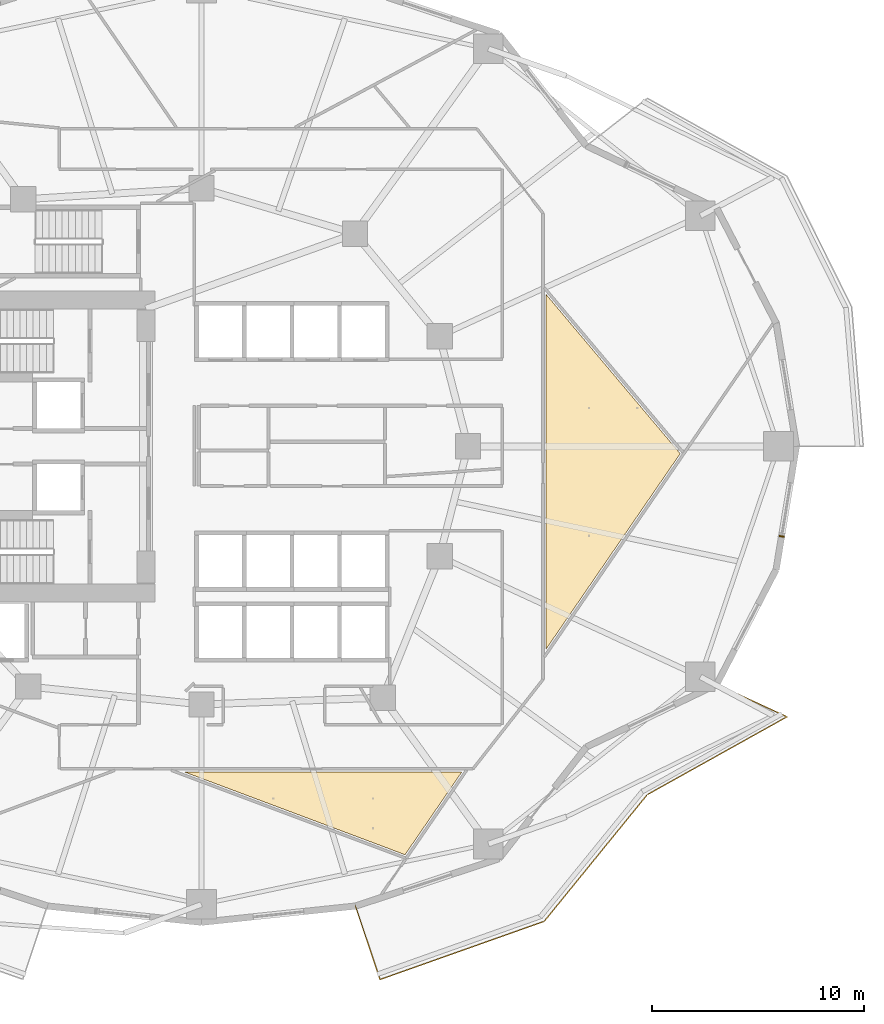
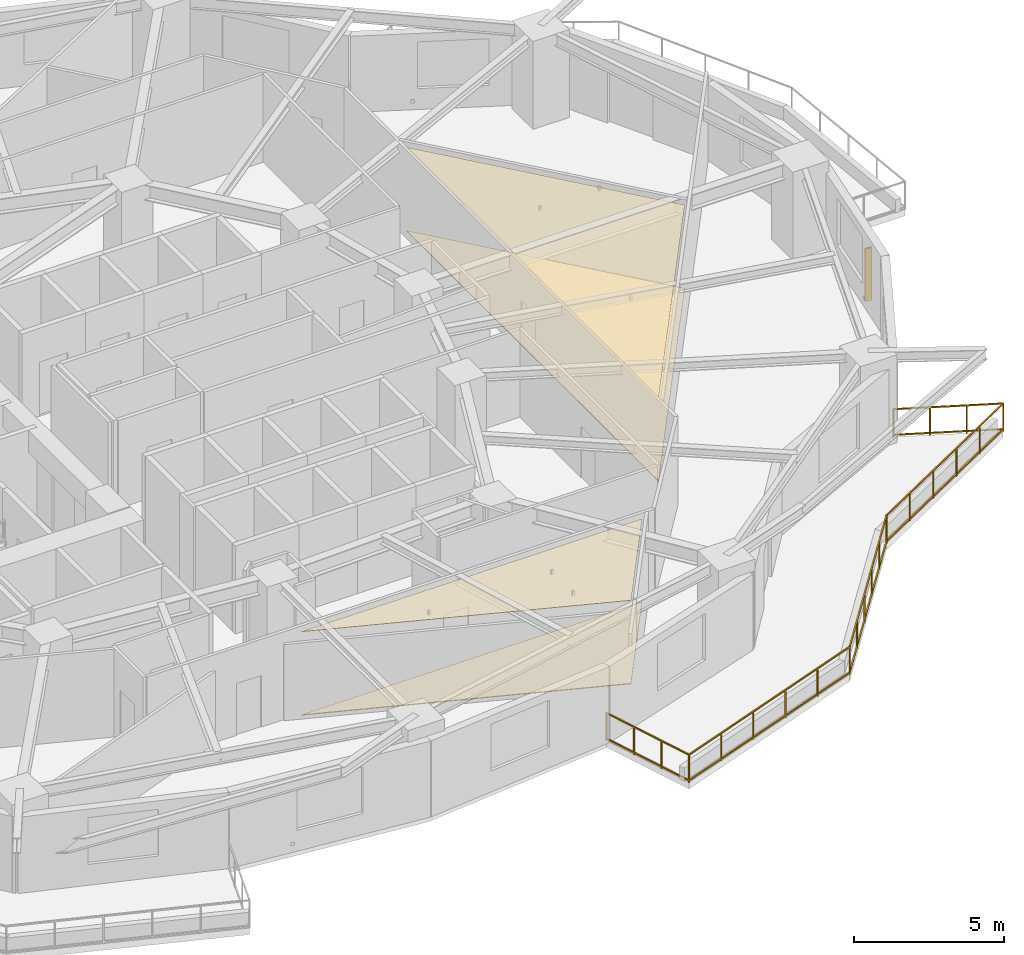
# One storey, part 14 of 16: 4 coverings, 1 railing, 1 shading device.
"""IFC4 building model written with IfcOpenShell, lengths in metres."""

from ifc_helpers import new_model, si_unit, direction, frame, origin, origin_2d, place, context, subcontext, project, spatial, polyline, rectangle, outline, extrude, material, layer, layer_set, type_object, element, save


model = new_model("IFC4")

# Units and contexts
model_context = context("Model", 3, precision=1e-05, world=origin(), true_north=direction((0.0, 1.0)))
body_context = subcontext(model_context, "Body", "Model", "MODEL_VIEW")
ifc_project = project(units=[si_unit("LENGTHUNIT", "METRE"), si_unit("AREAUNIT", "SQUARE_METRE"), si_unit("VOLUMEUNIT", "CUBIC_METRE"), si_unit("PLANEANGLEUNIT", "RADIAN"), si_unit("MASSUNIT", "GRAM", prefix="KILO")], contexts=[model_context])

# Site, building, storey
site_placement = place(None, origin())
site = spatial("IfcSite", under=ifc_project, at=site_placement, CompositionType="ELEMENT")
building_placement = place(site_placement, origin())
building = spatial("IfcBuilding", under=site, at=building_placement, Name="Kolvaren Gate Tower and Convention Centre", CompositionType="ELEMENT")
storey_placement = place(building_placement, frame((0.0, 0.0, 34.199951171875)))
storey = spatial("IfcBuildingStorey", under=building, at=storey_placement, Name="L07", CompositionType="ELEMENT", Elevation=34.199951171875)

# Coverings
ifc_material_1 = material(Name="Perforated Mineral-Fibre Acoustic Ceiling Tile 18 mm", Category="gypsum")
ifc_layer_1 = layer(ifc_material_1, 0.01806640625)
ifc_layer_set_1 = layer_set([ifc_layer_1], Name="Perforated Mineral-Fibre Acoustic Ceiling Tile 18 mm")
covering_type_1 = type_object("IfcCoveringType", Name="ARCH-COV-CEIL-18", PredefinedType="CEILING", material=ifc_layer_set_1)
covering_1_placement = place(storey_placement, frame((0.0, 0.0, 3.39013671875)))
element("IfcCovering", 1, at=covering_1_placement, inside=storey, type_object=covering_type_1, Name="Catering Tea Pantry Acoustic Suspended Ceiling", PredefinedType="CEILING", context=body_context, shape_type="SweptSolid", body=[
    extrude(outline(polyline([(39.748046875, 7.696044921875), (29.330078125, 11.60595703125), (42.43310546875, 11.610107421875), (39.748046875, 7.696044921875)])), origin(), (0.0, 0.0, 1.0), 0.017822265625),
])
ifc_material_2 = material(Name="Perforated Mineral-Fibre Acoustic Ceiling Tile 24 mm", Category="gypsum")
ifc_layer_2 = layer(ifc_material_2, 0.02392578125)
ifc_layer_set_2 = layer_set([ifc_layer_2], Name="Perforated Mineral-Fibre Acoustic Ceiling Tile 24 mm")
covering_type_2 = type_object("IfcCoveringType", Name="ARCH-COV-CEIL-24", PredefinedType="CEILING", material=ifc_layer_set_2)
covering_2_placement = place(storey_placement, frame((0.0, 0.0, 3.39013671875)))
element("IfcCovering", 2, at=covering_2_placement, inside=storey, type_object=covering_type_2, Name="Strategy Huddle Meeting Room Acoustic Suspended Ceiling", PredefinedType="CEILING", context=body_context, shape_type="SweptSolid", body=[
    extrude(outline(polyline([(46.409912109375, 17.406982421875), (46.409912109375, 34.18798828125), (52.7548828125, 26.656005859375), (46.409912109375, 17.406982421875)])), origin(), (0.0, 0.0, 1.0), 0.02392578125),
])
ifc_material_3 = material(Name="Honed Sabana Limestone Terrazzo Flooring 30 mm", Category="masonry")
ifc_layer_3 = layer(ifc_material_3, 0.030029296875)
ifc_layer_set_3 = layer_set([ifc_layer_3], Name="Honed Sabana Limestone Terrazzo Flooring 30 mm")
covering_type_3 = type_object("IfcCoveringType", Name="ARCH-COV-FLR-30", PredefinedType="FLOORING", material=ifc_layer_set_3)
covering_3_placement = place(storey_placement, origin())
element("IfcCovering", 3, at=covering_3_placement, inside=storey, type_object=covering_type_3, Name="Catering Tea Pantry Interior Finish Flooring", PredefinedType="FLOORING", context=body_context, shape_type="SweptSolid", body=[
    extrude(outline(polyline([(39.748046875, 7.696044921875), (29.330078125, 11.60595703125), (42.43310546875, 11.610107421875), (39.748046875, 7.696044921875)])), origin(), (0.0, 0.0, 1.0), 0.030029296875),
])
covering_4_placement = place(storey_placement, origin())
element("IfcCovering", 4, at=covering_4_placement, inside=storey, type_object=covering_type_3, Name="Strategy Huddle Meeting Room Interior Finish Flooring", PredefinedType="FLOORING", context=body_context, shape_type="SweptSolid", body=[
    extrude(outline(polyline([(46.409912109375, 17.406982421875), (46.409912109375, 34.18798828125), (52.7548828125, 26.656005859375), (46.409912109375, 17.406982421875)])), origin(), (0.0, 0.0, 1.0), 0.030029296875),
])

# Railing
ifc_material_4 = material(Name="Brushed Stainless Steel Grade 316L", Category="steel")
railing_type = type_object("IfcRailingType", Name="ARCH-RL-GUARD-1150", PredefinedType="GUARDRAIL", material=ifc_material_4)
railing_placement = place(storey_placement, frame((37.404296875, 5.2666015625, 0.0)))
element("IfcRailing", 5, at=railing_placement, inside=storey, type_object=railing_type, Name="Tower L07 Terrace Perimeter Guardrail GR-4", PredefinedType="GUARDRAIL", context=body_context, shape_type="SweptSolid", body=[
    extrude(rectangle(XDim=0.048095703125, YDim=0.048095703125, at=origin_2d()), frame((0.0087890625, -0.026611328125, 1.1259765625), z_axis=(0.317588247294, -0.948228719867, 0.0), x_axis=(0.948228719867, 0.317588247294, 0.0)), (0.0, 0.0, 1.0), 3.603759765625),
    extrude(rectangle(XDim=0.048095703125, YDim=0.048095703125, at=origin_2d()), frame((0.0087890625, -0.026611328125, 0.083984375), z_axis=(0.317588247294, -0.948228719867, 0.0), x_axis=(0.948228719867, 0.317588247294, 0.0)), (0.0, 0.0, 1.0), 3.603759765625),
    extrude(rectangle(XDim=0.048095703125, YDim=0.048095703125, at=origin_2d()), frame((1.188720703125, -3.461181640625, 1.1259765625), z_axis=(0.942581348797, 0.333976647237, 0.0), x_axis=(-0.333976647237, 0.942581348797, 0.0)), (0.0, 0.0, 1.0), 8.179443359375),
    extrude(rectangle(XDim=0.048095703125, YDim=0.048095703125, at=origin_2d()), frame((1.188720703125, -3.461181640625, 0.083984375), z_axis=(0.942581348797, 0.333976647237, 0.0), x_axis=(-0.333976647237, 0.942581348797, 0.0)), (0.0, 0.0, 1.0), 8.179443359375),
    extrude(rectangle(XDim=0.048095703125, YDim=0.048095703125, at=origin_2d()), frame((8.942626953125, -0.6982421875, 1.1259765625), z_axis=(0.631012936188, 0.775772308324, 0.0), x_axis=(-0.775772308324, 0.631012936188, 0.0)), (0.0, 0.0, 1.0), 7.661376953125),
    extrude(rectangle(XDim=0.048095703125, YDim=0.048095703125, at=origin_2d()), frame((8.942626953125, -0.6982421875, 0.083984375), z_axis=(0.631012936188, 0.775772308324, 0.0), x_axis=(-0.775772308324, 0.631012936188, 0.0)), (0.0, 0.0, 1.0), 7.661376953125),
    extrude(rectangle(XDim=0.048095703125, YDim=0.048095703125, at=origin_2d()), frame((13.8193359375, 5.28076171875, 1.1259765625), z_axis=(0.873486390754, 0.486848564923, 0.0), x_axis=(-0.486848564923, 0.873486390754, 0.0)), (0.0, 0.0, 1.0), 7.506103515625),
    extrude(rectangle(XDim=0.048095703125, YDim=0.048095703125, at=origin_2d()), frame((13.8193359375, 5.28076171875, 0.083984375), z_axis=(0.873486390754, 0.486848564923, 0.0), x_axis=(-0.486848564923, 0.873486390754, 0.0)), (0.0, 0.0, 1.0), 7.506103515625),
    extrude(rectangle(XDim=0.048095703125, YDim=0.048095703125, at=origin_2d()), frame((20.375, 8.96044921875, 1.1259765625), z_axis=(-0.907846116663, 0.419303503993, 0.0), x_axis=(-0.419303503993, -0.907846116663, 0.0)), (0.0, 0.0, 1.0), 3.60400390625),
    extrude(rectangle(XDim=0.048095703125, YDim=0.048095703125, at=origin_2d()), frame((20.375, 8.96044921875, 0.083984375), z_axis=(-0.907846116663, 0.419303503993, 0.0), x_axis=(-0.419303503993, -0.907846116663, 0.0)), (0.0, 0.0, 1.0), 3.60400390625),
    extrude(rectangle(XDim=0.0419921875, YDim=0.0419921875, at=origin_2d()), origin(), (0.0, 0.0, 1.0), 1.14990234375),
    extrude(rectangle(XDim=0.0419921875, YDim=0.0419921875, at=origin_2d()), frame((1.162353515625, -3.470458984375, 0.0)), (0.0, 0.0, 1.0), 1.14990234375),
    extrude(rectangle(XDim=0.0419921875, YDim=0.0419921875, at=origin_2d()), frame((0.387451171875, -1.15673828125, 0.0)), (0.0, 0.0, 1.0), 1.099853515625),
    extrude(rectangle(XDim=0.0419921875, YDim=0.0419921875, at=origin_2d()), frame((0.77490234375, -2.313720703125, 0.0)), (0.0, 0.0, 1.0), 1.099853515625),
    extrude(rectangle(XDim=0.0419921875, YDim=0.0419921875, at=origin_2d()), frame((8.925048828125, -0.719970703125, 0.0)), (0.0, 0.0, 1.0), 1.14990234375),
    extrude(rectangle(XDim=0.0419921875, YDim=0.0419921875, at=origin_2d()), frame((2.71484375, -2.92041015625, 0.0)), (0.0, 0.0, 1.0), 1.099853515625),
    extrude(rectangle(XDim=0.0419921875, YDim=0.0419921875, at=origin_2d()), frame((4.267333984375, -2.370361328125, 0.0)), (0.0, 0.0, 1.0), 1.099853515625),
    extrude(rectangle(XDim=0.0419921875, YDim=0.0419921875, at=origin_2d()), frame((5.820068359375, -1.820068359375, 0.0)), (0.0, 0.0, 1.0), 1.099853515625),
    extrude(rectangle(XDim=0.0419921875, YDim=0.0419921875, at=origin_2d()), frame((7.37255859375, -1.27001953125, 0.0)), (0.0, 0.0, 1.0), 1.099853515625),
    extrude(rectangle(XDim=0.0419921875, YDim=0.0419921875, at=origin_2d()), frame((13.794921875, 5.26708984375, 0.0)), (0.0, 0.0, 1.0), 1.14990234375),
    extrude(rectangle(XDim=0.0419921875, YDim=0.0419921875, at=origin_2d()), frame((9.89892578125, 0.4775390625, 0.0)), (0.0, 0.0, 1.0), 1.099853515625),
    extrude(rectangle(XDim=0.0419921875, YDim=0.0419921875, at=origin_2d()), frame((10.873046875, 1.6748046875, 0.0)), (0.0, 0.0, 1.0), 1.099853515625),
    extrude(rectangle(XDim=0.0419921875, YDim=0.0419921875, at=origin_2d()), frame((11.846923828125, 2.872314453125, 0.0)), (0.0, 0.0, 1.0), 1.099853515625),
    extrude(rectangle(XDim=0.0419921875, YDim=0.0419921875, at=origin_2d()), frame((12.821044921875, 4.069580078125, 0.0)), (0.0, 0.0, 1.0), 1.099853515625),
    extrude(rectangle(XDim=0.0419921875, YDim=0.0419921875, at=origin_2d()), frame((20.400390625, 8.94873046875, 0.0)), (0.0, 0.0, 1.0), 1.14990234375),
    extrude(rectangle(XDim=0.0419921875, YDim=0.0419921875, at=origin_2d()), frame((15.115966796875, 6.00341796875, 0.0)), (0.0, 0.0, 1.0), 1.099853515625),
    extrude(rectangle(XDim=0.0419921875, YDim=0.0419921875, at=origin_2d()), frame((16.43701171875, 6.73974609375, 0.0)), (0.0, 0.0, 1.0), 1.099853515625),
    extrude(rectangle(XDim=0.0419921875, YDim=0.0419921875, at=origin_2d()), frame((17.75830078125, 7.47607421875, 0.0)), (0.0, 0.0, 1.0), 1.099853515625),
    extrude(rectangle(XDim=0.0419921875, YDim=0.0419921875, at=origin_2d()), frame((19.079345703125, 8.21240234375, 0.0)), (0.0, 0.0, 1.0), 1.099853515625),
    extrude(rectangle(XDim=0.0419921875, YDim=0.0419921875, at=origin_2d()), frame((17.07763671875, 10.4833984375, 0.0)), (0.0, 0.0, 1.0), 1.14990234375),
    extrude(rectangle(XDim=0.0419921875, YDim=0.0419921875, at=origin_2d()), frame((19.292724609375, 9.460205078125, 0.0)), (0.0, 0.0, 1.0), 1.099853515625),
    extrude(rectangle(XDim=0.0419921875, YDim=0.0419921875, at=origin_2d()), frame((18.185302734375, 9.971923828125, 0.0)), (0.0, 0.0, 1.0), 1.099853515625),
])

# Shading device
ifc_material_5 = material(Name="Kiln-Fired Bogota Terracotta Ceramic Louvre Profile", Category="masonry")
shading_device_type = type_object("IfcShadingDeviceType", Name="ARCH-SHD-FIN-180", PredefinedType="JALOUSIE", material=ifc_material_5)
shading_device_placement = place(storey_placement, frame((57.550048828125, 22.74658203125, 0.22021484375), z_axis=(0.0, 0.0, 1.0), x_axis=(0.162377123682, 0.986728772108, 0.0)))
element("IfcShadingDevice", 6, at=shading_device_placement, inside=storey, type_object=shading_device_type, Name="Ceramic Vertical Brise-Soleil Fin FN-L07-23", PredefinedType="JALOUSIE", context=body_context, shape_type="SweptSolid", body=[
    extrude(rectangle(XDim=0.06005859375, YDim=0.239990234375, at=origin_2d()), origin(), (0.0, 0.0, 1.0), 2.14990234375),
])

save(model, "model.ifc")
